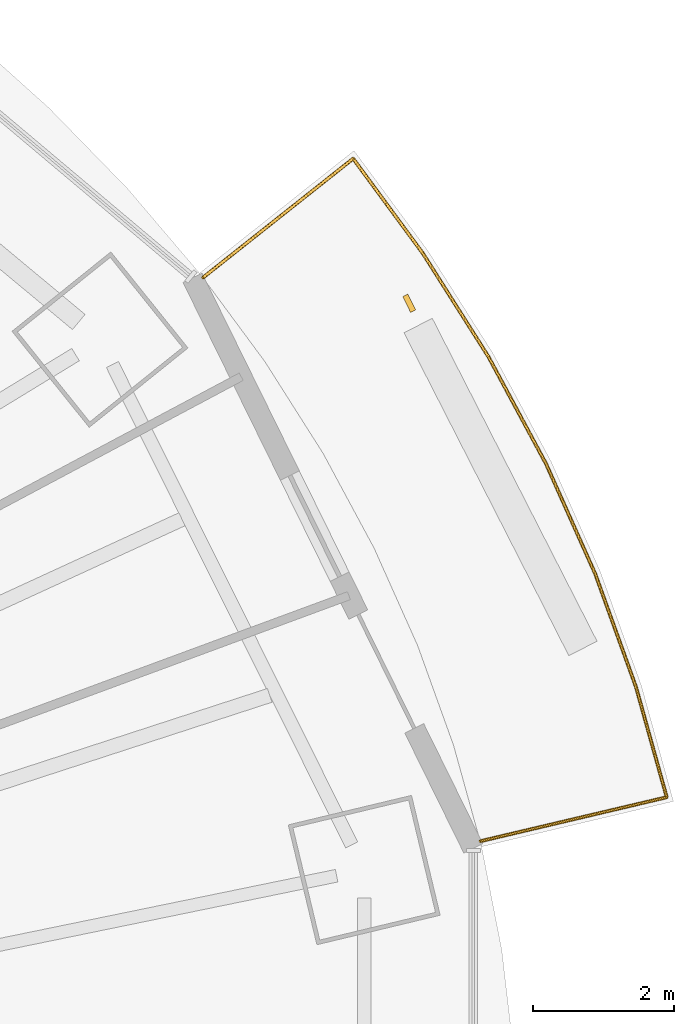
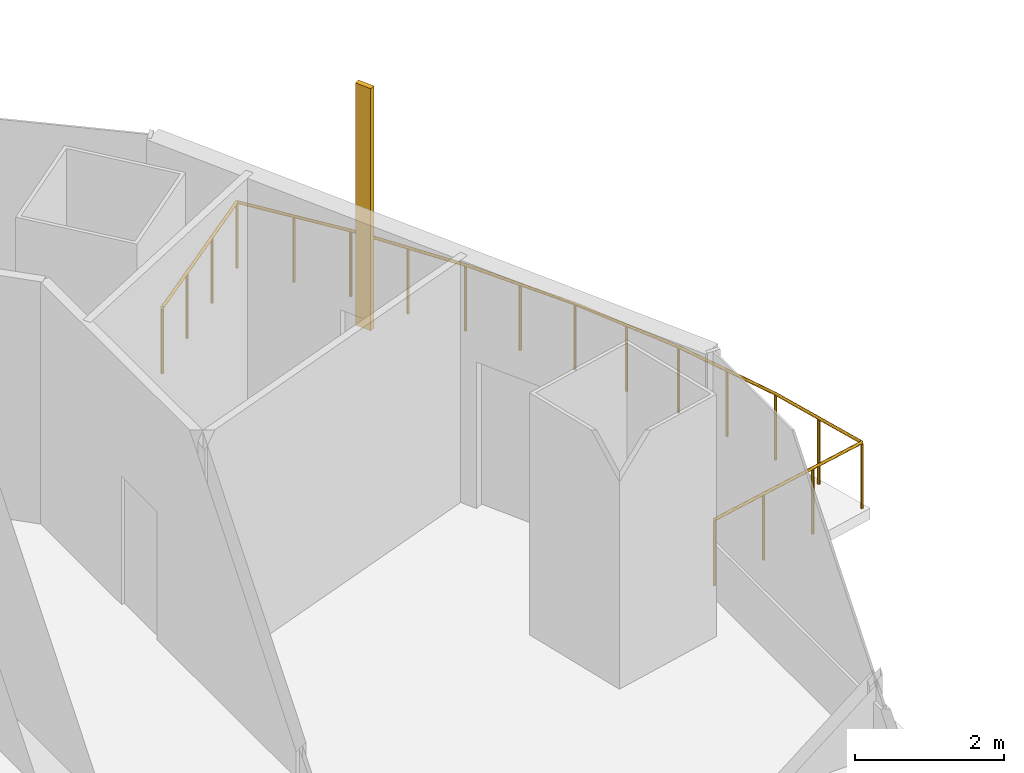
# One storey, part 15 of 16: 1 railing, 1 shading device.
"""IFC4 building model written with IfcOpenShell, lengths in metres."""

from ifc_helpers import new_model, si_unit, direction, frame, origin, origin_2d, place, context, subcontext, project, spatial, rectangle, circle, extrude, material, material_profile, profile_set, type_object, element, save


model = new_model("IFC4")

# Units and contexts
model_context = context("Model", 3, precision=1e-05, world=origin(), true_north=direction((0.0, 1.0)))
body_context = subcontext(model_context, "Body", "Model", "MODEL_VIEW")
ifc_project = project(units=[si_unit("LENGTHUNIT", "METRE"), si_unit("AREAUNIT", "SQUARE_METRE"), si_unit("VOLUMEUNIT", "CUBIC_METRE"), si_unit("PLANEANGLEUNIT", "RADIAN"), si_unit("MASSUNIT", "GRAM", prefix="KILO")], contexts=[model_context])

# Site, building, storey
site_placement = place(None, origin())
site = spatial("IfcSite", under=ifc_project, at=site_placement, CompositionType="ELEMENT")
building_placement = place(site_placement, origin())
building = spatial("IfcBuilding", under=site, at=building_placement, Name="Marenthal Gate Tower", CompositionType="ELEMENT")
storey_placement = place(building_placement, frame((0.0, 0.0, 350.89990234375)))
storey = spatial("IfcBuildingStorey", under=building, at=storey_placement, Name="L79", CompositionType="ELEMENT", Elevation=350.89990234375)

# Railing
ifc_material_1 = material(Name="Stainless steel", Category="steel")
railing_type = type_object("IfcRailingType", Name="Balcony guard 1100", PredefinedType="GUARDRAIL", material=ifc_material_1)
railing_placement = place(storey_placement, frame((21.95556640625, 13.39111328125, 0.0)))
element("IfcRailing", 1, at=railing_placement, inside=storey, type_object=railing_type, Name="Balcony guard L79 bay 1", PredefinedType="GUARDRAIL", context=body_context, shape_type="SweptSolid", body=[
    extrude(circle(Radius=0.02392578125, at=origin_2d()), frame((0.0, 0.0, 1.076171875), z_axis=(0.783692504104, 0.620976687574, -0.014629166075), x_axis=(-0.621043146628, 0.783776377563, 0.0)), (0.0, 0.0, 1.0), 2.72021484375),
    extrude(circle(Radius=0.02392578125, at=origin_2d()), frame((2.1318359375, 1.689208984375, 1.0361328125), z_axis=(0.592490887892, -0.805577151963, 0.0), x_axis=(0.805577151963, 0.592490887892, 0.0)), (0.0, 0.0, 1.0), 1.67041015625),
    extrude(circle(Radius=0.02392578125, at=origin_2d()), frame((3.12158203125, 0.343505859375, 1.0361328125), z_axis=(0.535757035565, -0.84437219213, 0.0), x_axis=(0.84437219213, 0.535757035565, 0.0)), (0.0, 0.0, 1.0), 1.738037109375),
    extrude(circle(Radius=0.02392578125, at=origin_2d()), frame((4.052734375, -1.1240234375, 1.0361328125), z_axis=(0.473652895145, -0.880711607123, 0.0), x_axis=(0.880711607123, 0.473652895145, 0.0)), (0.0, 0.0, 1.0), 1.726806640625),
    extrude(circle(Radius=0.02392578125, at=origin_2d()), frame((4.87060546875, -2.644775390625, 1.0361328125), z_axis=(0.40799807197, -0.912982789142, 0.0), x_axis=(0.912982789142, 0.40799807197, 0.0)), (0.0, 0.0, 1.0), 1.716796875),
    extrude(circle(Radius=0.02392578125, at=origin_2d()), frame((5.571044921875, -4.212158203125, 1.0361328125), z_axis=(0.338780209169, -0.940865542931, 0.0), x_axis=(0.940865542931, 0.338780209169, 0.0)), (0.0, 0.0, 1.0), 1.7080078125),
    extrude(circle(Radius=0.02392578125, at=origin_2d()), frame((6.149658203125, -5.819091796875, 1.0361328125), z_axis=(0.268568220157, -0.963260666238, 0.0), x_axis=(0.963260666238, 0.268568220157, 0.0)), (0.0, 0.0, 1.0), 1.620849609375),
    extrude(circle(Radius=0.02392578125, at=origin_2d()), frame((6.5849609375, -7.38037109375, 1.0361328125), z_axis=(-0.973183391678, -0.229565023599, 0.014628263818), x_axis=(0.229589589404, -0.973287532252, 0.0)), (0.0, 0.0, 1.0), 2.720458984375),
    extrude(circle(Radius=0.02099609375, at=origin_2d()), origin(), (0.0, 0.0, 1.0), 1.052001953125),
    extrude(circle(Radius=0.02099609375, at=origin_2d()), frame((0.710693359375, 0.56298828125, -0.01318359375)), (0.0, 0.0, 1.0), 1.052001953125),
    extrude(circle(Radius=0.02099609375, at=origin_2d()), frame((1.421142578125, 1.126220703125, -0.026611328125)), (0.0, 0.0, 1.0), 1.052001953125),
    extrude(circle(Radius=0.02099609375, at=origin_2d()), frame((2.1318359375, 1.689208984375, -0.039794921875)), (0.0, 0.0, 1.0), 1.052001953125),
    extrude(circle(Radius=0.02099609375, at=origin_2d()), frame((2.626708984375, 1.016357421875, -0.039794921875)), (0.0, 0.0, 1.0), 1.052001953125),
    extrude(circle(Radius=0.02099609375, at=origin_2d()), frame((3.12158203125, 0.343505859375, -0.039794921875)), (0.0, 0.0, 1.0), 1.052001953125),
    extrude(circle(Radius=0.02099609375, at=origin_2d()), frame((3.587158203125, -0.39013671875, -0.039794921875)), (0.0, 0.0, 1.0), 1.052001953125),
    extrude(circle(Radius=0.02099609375, at=origin_2d()), frame((4.052734375, -1.1240234375, -0.039794921875)), (0.0, 0.0, 1.0), 1.052001953125),
    extrude(circle(Radius=0.02099609375, at=origin_2d()), frame((4.461669921875, -1.88427734375, -0.039794921875)), (0.0, 0.0, 1.0), 1.052001953125),
    extrude(circle(Radius=0.02099609375, at=origin_2d()), frame((4.87060546875, -2.644775390625, -0.039794921875)), (0.0, 0.0, 1.0), 1.052001953125),
    extrude(circle(Radius=0.02099609375, at=origin_2d()), frame((5.220703125, -3.428466796875, -0.039794921875)), (0.0, 0.0, 1.0), 1.052001953125),
    extrude(circle(Radius=0.02099609375, at=origin_2d()), frame((5.571044921875, -4.212158203125, -0.039794921875)), (0.0, 0.0, 1.0), 1.052001953125),
    extrude(circle(Radius=0.02099609375, at=origin_2d()), frame((5.8603515625, -5.015625, -0.039794921875)), (0.0, 0.0, 1.0), 1.052001953125),
    extrude(circle(Radius=0.02099609375, at=origin_2d()), frame((6.149658203125, -5.819091796875, -0.039794921875)), (0.0, 0.0, 1.0), 1.052001953125),
    extrude(circle(Radius=0.02099609375, at=origin_2d()), frame((6.3671875, -6.599609375, -0.039794921875)), (0.0, 0.0, 1.0), 1.052001953125),
    extrude(circle(Radius=0.02099609375, at=origin_2d()), frame((6.5849609375, -7.38037109375, -0.039794921875)), (0.0, 0.0, 1.0), 1.052001953125),
    extrude(circle(Radius=0.02099609375, at=origin_2d()), frame((5.702392578125, -7.588623046875, -0.026611328125)), (0.0, 0.0, 1.0), 1.052001953125),
    extrude(circle(Radius=0.02099609375, at=origin_2d()), frame((4.820068359375, -7.796630859375, -0.01318359375)), (0.0, 0.0, 1.0), 1.052001953125),
    extrude(circle(Radius=0.02099609375, at=origin_2d()), frame((3.9375, -8.0048828125, 0.0)), (0.0, 0.0, 1.0), 1.052001953125),
])

# Shading device
ifc_material_2 = material(Name="Terracotta", Category="masonry")
ifc_material_profile = material_profile(ifc_material_2, rectangle(XDim=0.25, YDim=0.080078125, at=origin_2d()), Name="Terracotta baguette 250x80")
ifc_profile_set = profile_set([ifc_material_profile], Name="Terracotta")
shading_device_type = type_object("IfcShadingDeviceType", Name="Terracotta BAGUETTE SCREEN 250x80", PredefinedType="USERDEFINED", material=ifc_profile_set)
shading_device_placement = place(storey_placement, frame((24.883056640625, 13.0263671875, -0.039794921875), z_axis=(0.0, 0.0, 1.0), x_axis=(-0.441181376026, 0.897417959174, 0.0)))
element("IfcShadingDevice", 2, at=shading_device_placement, inside=storey, type_object=shading_device_type, Name="Terracotta BAGUETTE L79 bay 1R", ObjectType="BAGUETTE SCREEN", PredefinedType="USERDEFINED", context=body_context, shape_type="SweptSolid", body=[
    extrude(rectangle(XDim=0.25, YDim=0.080078125, at=origin_2d()), origin(), (0.0, 0.0, 1.0), 3.969970703125),
])

save(model, "model.ifc")
